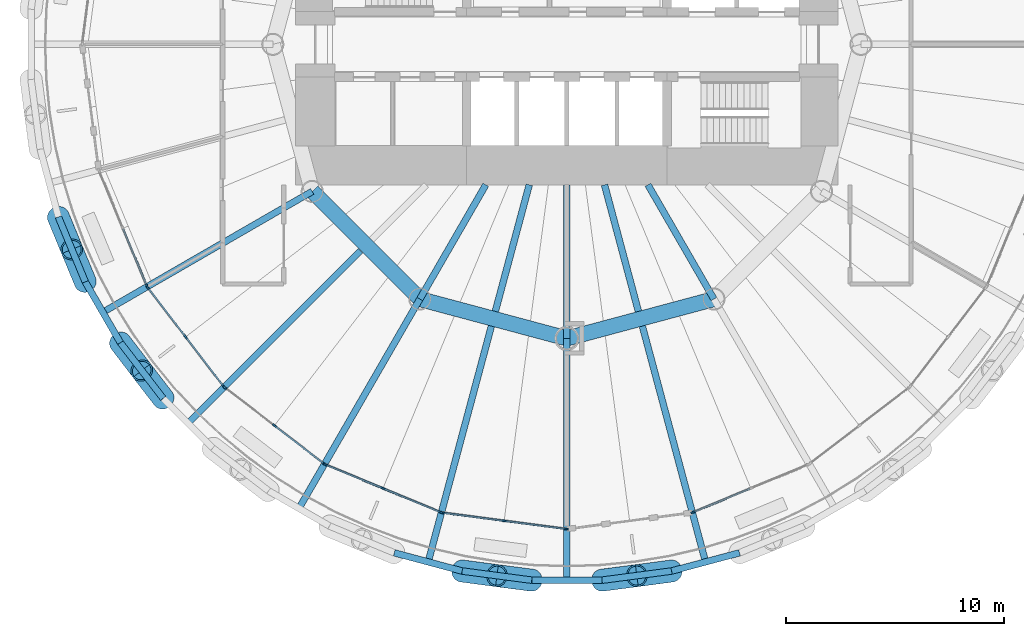
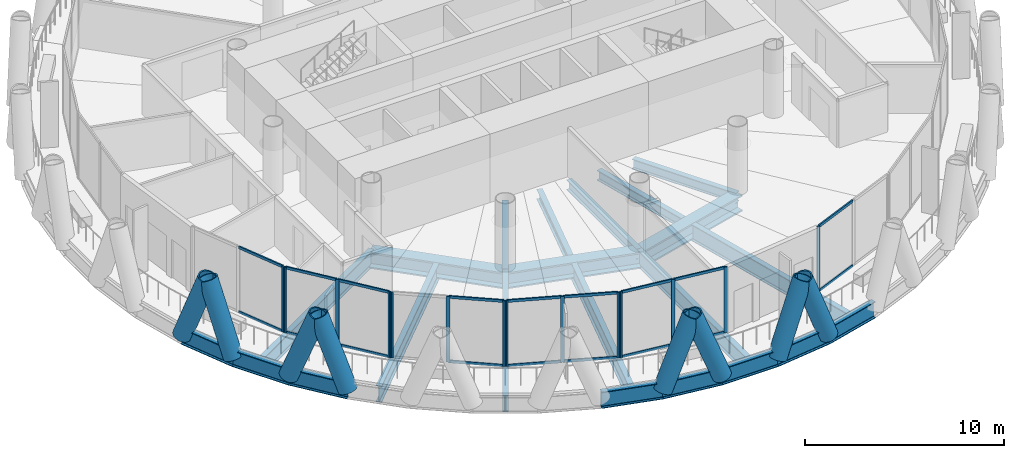
# One storey, part 2 of 15: 40 members, 22 beams, 6 elements without a shape of their own.
"""IFC4 building model written with IfcOpenShell, lengths in metres."""

import ifcopenshell
import ifcopenshell.guid

model = None  # the IFC model being written
_history = None  # IfcOwnerHistory: only IFC2X3 demands one
_inside = {}  # id of a spatial element -> (the spatial element, [elements in it])
_under = {}  # id of a project, library or spatial element -> (it, [spatial elements below it])
_declared = {}  # id of a project -> (the project, [libraries it declares])
_typed = {}  # id of a type object -> (the type object, [elements of that type])
_made_of = {}  # id of a material, layer set ... -> (it, [elements and type objects made of it])


def new_model(schema):
    """Start an empty IFC model of exactly this schema.

    Asked for "IFC4X3", IfcOpenShell would pick the latest addendum, in which some entities
    have other attributes; the version numbers below select the first issue.
    IFC2X3 requires an IfcOwnerHistory on every rooted entity: one is made here for all.
    """
    global model, _history
    if schema == "IFC4X3":
        model = ifcopenshell.file(schema_version=(4, 3, 0, 0))
    else:
        model = ifcopenshell.file(schema=schema)
    _inside.clear()
    _under.clear()
    _declared.clear()
    _typed.clear()
    _made_of.clear()
    _history = None
    if model.schema == "IFC2X3":
        org = make("IfcOrganization", Name="unknown")
        user = make(
            "IfcPersonAndOrganization",
            ThePerson=make("IfcPerson", FamilyName="unknown"),
            TheOrganization=org,
        )
        app = make(
            "IfcApplication",
            ApplicationDeveloper=org,
            Version="unknown",
            ApplicationFullName="unknown",
            ApplicationIdentifier="unknown",
        )
        _history = make(
            "IfcOwnerHistory",
            OwningUser=user,
            OwningApplication=app,
            ChangeAction="ADDED",
            CreationDate=0,
        )
    return model


def make(cls, **values):
    """One entity of the class cls with the attributes given. An attribute that is None is left unset."""
    return model.create_entity(
        cls, **{name: value for name, value in values.items() if value is not None}
    )


def rooted(cls, **values):
    """An entity with a GlobalId (a new one), such as an element, a storey or a relation."""
    return make(cls, GlobalId=ifcopenshell.guid.new(), OwnerHistory=_history, **values)


def si_unit(unit_type, name, prefix=None):
    """IfcSIUnit, for example si_unit("LENGTHUNIT", "METRE", prefix="MILLI")."""
    return make("IfcSIUnit", UnitType=unit_type, Prefix=prefix, Name=name)


def assignment(units):
    """IfcUnitAssignment: the units of a project."""
    return None if units is None else make("IfcUnitAssignment", Units=units)


def point(xyz):
    """IfcCartesianPoint."""
    return None if xyz is None else make("IfcCartesianPoint", Coordinates=xyz)


def direction(xyz):
    """IfcDirection."""
    return None if xyz is None else make("IfcDirection", DirectionRatios=xyz)


def frame(location, z_axis=None, x_axis=None):
    """IfcAxis2Placement3D, a coordinate frame: its origin and axes. An axis left out is left unset."""
    return make(
        "IfcAxis2Placement3D",
        Location=point(location),
        Axis=direction(z_axis),
        RefDirection=direction(x_axis),
    )


def frame_2d(location, x_axis=None):
    """IfcAxis2Placement2D, a coordinate frame in the plane: its origin and x axis."""
    return make(
        "IfcAxis2Placement2D", Location=point(location), RefDirection=direction(x_axis)
    )


def origin():
    """The frame at (0, 0, 0) with its axes left unset."""
    return frame((0.0, 0.0, 0.0))


def origin_2d():
    """The frame at (0, 0) in the plane with its x axis left unset."""
    return frame_2d((0.0, 0.0))


def place(relative_to, where):
    """IfcLocalPlacement: puts the frame where relative to a parent placement (None: the world)."""
    return make(
        "IfcLocalPlacement", PlacementRelTo=relative_to, RelativePlacement=where
    )


def context(
    kind, dimensions, precision=None, world=None, true_north=None, identifier=None
):
    """IfcGeometricRepresentationContext, for example the 3D "Model" context."""
    return make(
        "IfcGeometricRepresentationContext",
        ContextIdentifier=identifier,
        ContextType=kind,
        CoordinateSpaceDimension=dimensions,
        Precision=precision,
        WorldCoordinateSystem=world,
        TrueNorth=true_north,
    )


def subcontext(parent, identifier, kind, view, scale=None):
    """IfcGeometricRepresentationSubContext, for example "Body" below "Model"."""
    return make(
        "IfcGeometricRepresentationSubContext",
        ContextIdentifier=identifier,
        ContextType=kind,
        ParentContext=parent,
        TargetScale=scale,
        TargetView=view,
    )


def project(units=None, contexts=None):
    """IfcProject with its units and contexts."""
    return rooted(
        "IfcProject",
        Name="project",
        RepresentationContexts=contexts,
        UnitsInContext=assignment(units),
    )


def spatial(cls, under=None, at=None, **own):
    """A site, building, storey or space (cls), placed at a placement, below another one or the project."""
    s = rooted(cls, ObjectPlacement=at, **own)
    if under is not None:
        _under.setdefault(under.id(), (under, []))[1].append(s)
    return s


def profile(cls, at=None, kind="AREA", **sizes):
    """A parametric profile (cls). Its sizes go by their IFC names, for example OverallWidth=200.0."""
    return make(cls, ProfileType=kind, Position=at, **sizes)


def rectangle(**sizes):
    """IfcRectangleProfileDef."""
    return profile("IfcRectangleProfileDef", **sizes)


def hollow_circle(**sizes):
    """IfcCircleHollowProfileDef."""
    return profile("IfcCircleHollowProfileDef", **sizes)


def i_section(**sizes):
    """IfcIShapeProfileDef."""
    return profile("IfcIShapeProfileDef", **sizes)


def extrude(swept, where, along, depth):
    """IfcExtrudedAreaSolid: the profile swept, set in the frame where, extruded along a direction by depth."""
    return make(
        "IfcExtrudedAreaSolid",
        SweptArea=swept,
        Position=where,
        ExtrudedDirection=direction(along),
        Depth=depth,
    )


def shape(context_of_items, identifier, shape_type, items):
    """IfcShapeRepresentation: the items that make up one representation, for example the "Body"."""
    return make(
        "IfcShapeRepresentation",
        ContextOfItems=context_of_items,
        RepresentationIdentifier=identifier,
        RepresentationType=shape_type,
        Items=items,
    )


def material(Name=None, Category=None):
    """IfcMaterial."""
    return make("IfcMaterial", Name=Name, Category=Category)


def material_profile(
    of_material, cross_section, Name=None, Category=None, Priority=None
):
    """IfcMaterialProfile: a cross section and its material."""
    return make(
        "IfcMaterialProfile",
        Name=Name,
        Material=of_material,
        Profile=cross_section,
        Priority=Priority,
        Category=Category,
    )


def profile_set(profiles, Name=None, composite=None):
    """IfcMaterialProfileSet."""
    return make(
        "IfcMaterialProfileSet",
        Name=Name,
        MaterialProfiles=profiles,
        CompositeProfile=composite,
    )


def made_of(thing, what):
    """Note that an element or type object is made of a material, layer set ...; save() writes the relation."""
    if what is not None:
        _made_of.setdefault(what.id(), (what, []))[1].append(thing)
    return thing


def type_object(cls, material=None, **own):
    """A type object (cls), such as IfcWallType, which elements share."""
    return made_of(rooted(cls, **own), material)


def element(
    cls,
    number,
    at=None,
    inside=None,
    cuts=None,
    type_object=None,
    material=None,
    context=None,
    identifier="Body",
    shape_type=None,
    held_by="IfcProductDefinitionShape",
    body=None,
    shapes=None,
    **own,
):
    """One element of the class cls, such as IfcWall. Its Tag is "e" and its number.

    at: its placement. inside: the storey or other place that contains it. cuts: it is an
    opening in that element (IfcRelVoidsElement). A single representation is given by context,
    identifier, shape_type and body (its items); several are given by shapes. held_by: the class
    of the entity that holds the representations. save() writes the other relations.
    """
    e = rooted(cls, Tag="e%d" % number, ObjectPlacement=at, **own)
    if body is not None:
        shapes = [shape(context, identifier, shape_type, body)]
    if shapes is not None:
        e.Representation = make(held_by, Representations=shapes)
    if inside is not None:
        _inside.setdefault(inside.id(), (inside, []))[1].append(e)
    if cuts is not None:
        rooted(
            "IfcRelVoidsElement", RelatingBuildingElement=cuts, RelatedOpeningElement=e
        )
    if type_object is not None:
        _typed.setdefault(type_object.id(), (type_object, []))[1].append(e)
    return made_of(e, material)


def aggregate(whole, parts):
    """IfcRelAggregates: a whole, such as a stair, and the parts it consists of."""
    return rooted("IfcRelAggregates", RelatingObject=whole, RelatedObjects=parts)


def save(model, path):
    """Write the relations noted so far, then the file.

    IfcRelAggregates (storeys below a building ...), IfcRelContainedInSpatialStructure (elements
    in a storey), IfcRelDefinesByType, IfcRelAssociatesMaterial and IfcRelDeclares: one each for
    every whole, place, type object, material and project.
    """
    for whole, parts in _under.values():
        aggregate(whole, parts)
    for where, things in _inside.values():
        rooted(
            "IfcRelContainedInSpatialStructure",
            RelatedElements=things,
            RelatingStructure=where,
        )
    for kind, things in _typed.values():
        rooted("IfcRelDefinesByType", RelatedObjects=things, RelatingType=kind)
    for what, things in _made_of.values():
        rooted("IfcRelAssociatesMaterial", RelatedObjects=things, RelatingMaterial=what)
    for by, libraries in _declared.values():
        rooted("IfcRelDeclares", RelatingContext=by, RelatedDefinitions=libraries)
    model.write(path)


model = new_model("IFC4")

# Units and contexts
model_context = context("Model", 3, precision=1e-05, world=origin(), true_north=direction((0.0, 1.0)))
body_context = subcontext(model_context, "Body", "Model", "MODEL_VIEW")
ifc_project = project(units=[si_unit("LENGTHUNIT", "METRE"), si_unit("AREAUNIT", "SQUARE_METRE"), si_unit("VOLUMEUNIT", "CUBIC_METRE"), si_unit("PLANEANGLEUNIT", "RADIAN"), si_unit("MASSUNIT", "GRAM", prefix="KILO")], contexts=[model_context])

# Site, building, storey
site_placement = place(None, origin())
site = spatial("IfcSite", under=ifc_project, at=site_placement, CompositionType="ELEMENT")
building_placement = place(site_placement, origin())
building = spatial("IfcBuilding", under=site, at=building_placement, Name="Qaws Media Tower", CompositionType="ELEMENT")
storey_placement = place(building_placement, frame((0.0, 0.0, 164.60009765625)))
storey = spatial("IfcBuildingStorey", under=building, at=storey_placement, Name="L37", CompositionType="ELEMENT", Elevation=164.60009765625)

# Curtain wall, member
ifc_material_1 = material(Name="Aluminium and clear glass", Category="aluminium")
curtain_wall_type = type_object("IfcCurtainWallType", Name="Unitised curtain wall CW-B", PredefinedType="NOTDEFINED", material=ifc_material_1)
curtain_wall_1_placement = place(storey_placement, origin())
curtain_wall_1 = element("IfcCurtainWall", 1, at=curtain_wall_1_placement, inside=storey, type_object=curtain_wall_type, Name="CWB curtain wall L37-14", PredefinedType="NOTDEFINED")
ifc_material_2 = material(Name="Aluminium mullion", Category="aluminium")
ifc_material_profile_1 = material_profile(ifc_material_2, rectangle(XDim=0.080078125, YDim=0.199951171875, at=origin_2d()), Name="80x200")
ifc_profile_set_1 = profile_set([ifc_material_profile_1], Name="Aluminium mullion")
member_type_1 = type_object("IfcMemberType", Name="Curtain wall mullion 80x200", PredefinedType="MULLION", material=ifc_profile_set_1)
member_1_placement = place(storey_placement, frame((40.715576171875, 38.911865234375, 0.0), z_axis=(0.0, 0.0, 1.0), x_axis=(0.923879489819, 0.382683535434, 0.0)))
member_1 = element("IfcMember", 2, at=member_1_placement, type_object=member_type_1, Name="CWB mullion 3", PredefinedType="MULLION", context=body_context, shape_type="SweptSolid", body=[
    extrude(rectangle(XDim=0.080078125, YDim=0.199951171875, at=origin_2d()), origin(), (0.0, 0.0, 1.0), 4.039794921875),
])

# Curtain wall, members
curtain_wall_2_placement = place(storey_placement, origin())
curtain_wall_2 = element("IfcCurtainWall", 3, at=curtain_wall_2_placement, inside=storey, type_object=curtain_wall_type, Name="CWB curtain wall L37-15", PredefinedType="NOTDEFINED")
member_2_placement = place(storey_placement, frame((40.75537109375, 38.84326171875, 0.0), z_axis=(0.0, 0.0, 1.0), x_axis=(0.793353377191, 0.608761380919, 0.0)))
member_2 = element("IfcMember", 4, at=member_2_placement, type_object=member_type_1, Name="CWB mullion 1", PredefinedType="MULLION", context=body_context, shape_type="SweptSolid", body=[
    extrude(rectangle(XDim=0.080078125, YDim=0.199951171875, at=origin_2d()), origin(), (0.0, 0.0, 1.0), 4.039794921875),
])
member_3_placement = place(storey_placement, frame((42.4990234375, 36.571044921875, 0.0), z_axis=(0.0, 0.0, 1.0), x_axis=(0.793353377191, 0.608761380919, 0.0)))
member_3 = element("IfcMember", 5, at=member_3_placement, type_object=member_type_1, Name="CWB mullion 2", PredefinedType="MULLION", context=body_context, shape_type="SweptSolid", body=[
    extrude(rectangle(XDim=0.080078125, YDim=0.199951171875, at=origin_2d()), origin(), (0.0, 0.0, 1.0), 4.039794921875),
])
member_4_placement = place(storey_placement, frame((44.242431640625, 34.298583984375, 0.0), z_axis=(0.0, 0.0, 1.0), x_axis=(0.793353377191, 0.608761380919, 0.0)))
member_4 = element("IfcMember", 6, at=member_4_placement, type_object=member_type_1, Name="CWB mullion 3", PredefinedType="MULLION", context=body_context, shape_type="SweptSolid", body=[
    extrude(rectangle(XDim=0.080078125, YDim=0.199951171875, at=origin_2d()), origin(), (0.0, 0.0, 1.0), 4.039794921875),
])

curtain_wall_3_placement = place(storey_placement, origin())
curtain_wall_3 = element("IfcCurtainWall", 7, at=curtain_wall_3_placement, inside=storey, type_object=curtain_wall_type, Name="CWB curtain wall L37-16", PredefinedType="NOTDEFINED")
member_5_placement = place(storey_placement, frame((44.298583984375, 34.242431640625, 0.0), z_axis=(0.0, 0.0, 1.0), x_axis=(0.608761380919, 0.793353377191, 0.0)))
member_5 = element("IfcMember", 8, at=member_5_placement, type_object=member_type_1, Name="CWB mullion 1", PredefinedType="MULLION", context=body_context, shape_type="SweptSolid", body=[
    extrude(rectangle(XDim=0.080078125, YDim=0.199951171875, at=origin_2d()), origin(), (0.0, 0.0, 1.0), 4.039794921875),
])
member_6_placement = place(storey_placement, frame((46.571044921875, 32.4990234375, 0.0), z_axis=(0.0, 0.0, 1.0), x_axis=(0.608761380919, 0.793353377191, 0.0)))
member_6 = element("IfcMember", 9, at=member_6_placement, type_object=member_type_1, Name="CWB mullion 2", PredefinedType="MULLION", context=body_context, shape_type="SweptSolid", body=[
    extrude(rectangle(XDim=0.080078125, YDim=0.199951171875, at=origin_2d()), origin(), (0.0, 0.0, 1.0), 4.039794921875),
])
member_7_placement = place(storey_placement, frame((48.84326171875, 30.75537109375, 0.0), z_axis=(0.0, 0.0, 1.0), x_axis=(0.608761380919, 0.793353377191, 0.0)))
member_7 = element("IfcMember", 10, at=member_7_placement, type_object=member_type_1, Name="CWB mullion 3", PredefinedType="MULLION", context=body_context, shape_type="SweptSolid", body=[
    extrude(rectangle(XDim=0.080078125, YDim=0.199951171875, at=origin_2d()), origin(), (0.0, 0.0, 1.0), 4.039794921875),
])

curtain_wall_4_placement = place(storey_placement, origin())
curtain_wall_4 = element("IfcCurtainWall", 11, at=curtain_wall_4_placement, inside=storey, type_object=curtain_wall_type, Name="CWB curtain wall L37-17", PredefinedType="NOTDEFINED")
member_8_placement = place(storey_placement, frame((48.911865234375, 30.715576171875, 0.0), z_axis=(0.0, 0.0, 1.0), x_axis=(0.382683535434, 0.923879489819, 0.0)))
member_8 = element("IfcMember", 12, at=member_8_placement, type_object=member_type_1, Name="CWB mullion 1", PredefinedType="MULLION", context=body_context, shape_type="SweptSolid", body=[
    extrude(rectangle(XDim=0.080078125, YDim=0.199951171875, at=origin_2d()), origin(), (0.0, 0.0, 1.0), 4.039794921875),
])
member_9_placement = place(storey_placement, frame((51.55810546875, 29.61962890625, 0.0), z_axis=(0.0, 0.0, 1.0), x_axis=(0.382683535434, 0.923879489819, 0.0)))
member_9 = element("IfcMember", 13, at=member_9_placement, type_object=member_type_1, Name="CWB mullion 2", PredefinedType="MULLION", context=body_context, shape_type="SweptSolid", body=[
    extrude(rectangle(XDim=0.080078125, YDim=0.199951171875, at=origin_2d()), origin(), (0.0, 0.0, 1.0), 4.039794921875),
])
member_10_placement = place(storey_placement, frame((54.204345703125, 28.5234375, 0.0), z_axis=(0.0, 0.0, 1.0), x_axis=(0.382683535434, 0.923879489819, 0.0)))
member_10 = element("IfcMember", 14, at=member_10_placement, type_object=member_type_1, Name="CWB mullion 3", PredefinedType="MULLION", context=body_context, shape_type="SweptSolid", body=[
    extrude(rectangle(XDim=0.080078125, YDim=0.199951171875, at=origin_2d()), origin(), (0.0, 0.0, 1.0), 4.039794921875),
])

curtain_wall_5_placement = place(storey_placement, origin())
curtain_wall_5 = element("IfcCurtainWall", 15, at=curtain_wall_5_placement, inside=storey, type_object=curtain_wall_type, Name="CWB curtain wall L37-18", PredefinedType="NOTDEFINED")
member_11_placement = place(storey_placement, frame((54.281005859375, 28.5029296875, 0.0), z_axis=(0.0, 0.0, 1.0), x_axis=(0.130526124942, 0.991444870231, 0.0)))
member_11 = element("IfcMember", 16, at=member_11_placement, type_object=member_type_1, Name="CWB mullion 1", PredefinedType="MULLION", context=body_context, shape_type="SweptSolid", body=[
    extrude(rectangle(XDim=0.080078125, YDim=0.199951171875, at=origin_2d()), origin(), (0.0, 0.0, 1.0), 4.039794921875),
])
member_12_placement = place(storey_placement, frame((57.12060546875, 28.129150390625, 0.0), z_axis=(0.0, 0.0, 1.0), x_axis=(0.130526124942, 0.991444870231, 0.0)))
member_12 = element("IfcMember", 17, at=member_12_placement, type_object=member_type_1, Name="CWB mullion 2", PredefinedType="MULLION", context=body_context, shape_type="SweptSolid", body=[
    extrude(rectangle(XDim=0.080078125, YDim=0.199951171875, at=origin_2d()), origin(), (0.0, 0.0, 1.0), 4.039794921875),
])
member_13_placement = place(storey_placement, frame((59.96044921875, 27.755126953125, 0.0), z_axis=(0.0, 0.0, 1.0), x_axis=(0.130526124942, 0.991444870231, 0.0)))
member_13 = element("IfcMember", 18, at=member_13_placement, type_object=member_type_1, Name="CWB mullion 3", PredefinedType="MULLION", context=body_context, shape_type="SweptSolid", body=[
    extrude(rectangle(XDim=0.080078125, YDim=0.199951171875, at=origin_2d()), origin(), (0.0, 0.0, 1.0), 4.039794921875),
])

# Curtain wall, member
curtain_wall_6_placement = place(storey_placement, origin())
curtain_wall_6 = element("IfcCurtainWall", 19, at=curtain_wall_6_placement, inside=storey, type_object=curtain_wall_type, Name="CWB curtain wall L37-20", PredefinedType="NOTDEFINED")
member_14_placement = place(storey_placement, frame((65.795654296875, 28.5234375, 0.0), z_axis=(0.0, 0.0, 1.0), x_axis=(-0.382683535434, 0.923879489819, 0.0)))
member_14 = element("IfcMember", 20, at=member_14_placement, type_object=member_type_1, Name="CWB mullion 1", PredefinedType="MULLION", context=body_context, shape_type="SweptSolid", body=[
    extrude(rectangle(XDim=0.080078125, YDim=0.199951171875, at=origin_2d()), origin(), (0.0, 0.0, 1.0), 4.039794921875),
])

# Member
ifc_material_3 = material(Name="Aluminium transom", Category="aluminium")
ifc_material_profile_2 = material_profile(ifc_material_3, rectangle(XDim=0.080078125, YDim=0.159912109375, at=origin_2d()), Name="80x160")
ifc_profile_set_2 = profile_set([ifc_material_profile_2], Name="Aluminium transom")
member_type_2 = type_object("IfcMemberType", Name="Curtain wall transom 80x160", PredefinedType="USERDEFINED", material=ifc_profile_set_2)
member_15_placement = place(storey_placement, frame((39.634765625, 41.521240234375, 0.039794921875), z_axis=(0.382746742657, -0.923853305988, 0.0), x_axis=(0.923853305988, 0.382746742657, 0.0)))
member_15 = element("IfcMember", 21, at=member_15_placement, type_object=member_type_2, Name="CWB transom 2.1", ObjectType="TRANSOM", PredefinedType="USERDEFINED", context=body_context, shape_type="SweptSolid", body=[
    extrude(rectangle(XDim=0.080078125, YDim=0.159912109375, at=origin_2d()), origin(), (0.0, 0.0, 1.0), 2.7841796875),
])

member_16_placement = place(storey_placement, frame((39.634765625, 41.521240234375, 4.0), z_axis=(0.382746742657, -0.923853305988, 0.0), x_axis=(0.923853305988, 0.382746742657, 0.0)))
member_16 = element("IfcMember", 22, at=member_16_placement, type_object=member_type_2, Name="CWB transom 2.2", ObjectType="TRANSOM", PredefinedType="USERDEFINED", context=body_context, shape_type="SweptSolid", body=[
    extrude(rectangle(XDim=0.080078125, YDim=0.159912109375, at=origin_2d()), origin(), (0.0, 0.0, 1.0), 2.7841796875),
])

aggregate(curtain_wall_1, [member_1, member_15, member_16])

member_17_placement = place(storey_placement, frame((40.779541015625, 38.8115234375, 0.039794921875), z_axis=(0.608816218373, -0.793311295927, 0.0), x_axis=(0.793311295927, 0.608816218373, 0.0)))
member_17 = element("IfcMember", 23, at=member_17_placement, type_object=member_type_2, Name="CWB transom 1.1", ObjectType="TRANSOM", PredefinedType="USERDEFINED", context=body_context, shape_type="SweptSolid", body=[
    extrude(rectangle(XDim=0.080078125, YDim=0.159912109375, at=origin_2d()), origin(), (0.0, 0.0, 1.0), 2.7841796875),
])

member_18_placement = place(storey_placement, frame((40.779541015625, 38.8115234375, 4.0), z_axis=(0.608816218373, -0.793311295927, 0.0), x_axis=(0.793311295927, 0.608816218373, 0.0)))
member_18 = element("IfcMember", 24, at=member_18_placement, type_object=member_type_2, Name="CWB transom 1.2", ObjectType="TRANSOM", PredefinedType="USERDEFINED", context=body_context, shape_type="SweptSolid", body=[
    extrude(rectangle(XDim=0.080078125, YDim=0.159912109375, at=origin_2d()), origin(), (0.0, 0.0, 1.0), 2.7841796875),
])

member_19_placement = place(storey_placement, frame((42.523193359375, 36.539306640625, 0.039794921875), z_axis=(0.608773868942, -0.79334379464, 0.0), x_axis=(0.79334379464, 0.608773868942, 0.0)))
member_19 = element("IfcMember", 25, at=member_19_placement, type_object=member_type_2, Name="CWB transom 2.1", ObjectType="TRANSOM", PredefinedType="USERDEFINED", context=body_context, shape_type="SweptSolid", body=[
    extrude(rectangle(XDim=0.080078125, YDim=0.159912109375, at=origin_2d()), origin(), (0.0, 0.0, 1.0), 2.784423828125),
])

member_20_placement = place(storey_placement, frame((42.523193359375, 36.539306640625, 4.0), z_axis=(0.608773868942, -0.79334379464, 0.0), x_axis=(0.79334379464, 0.608773868942, 0.0)))
member_20 = element("IfcMember", 26, at=member_20_placement, type_object=member_type_2, Name="CWB transom 2.2", ObjectType="TRANSOM", PredefinedType="USERDEFINED", context=body_context, shape_type="SweptSolid", body=[
    extrude(rectangle(XDim=0.080078125, YDim=0.159912109375, at=origin_2d()), origin(), (0.0, 0.0, 1.0), 2.784423828125),
])

aggregate(curtain_wall_2, [member_2, member_3, member_4, member_17, member_18, member_19, member_20])

member_21_placement = place(storey_placement, frame((46.602783203125, 32.474609375, 0.039794921875), z_axis=(0.793311295927, -0.608816218373, 0.0), x_axis=(0.608816218373, 0.793311295927, 0.0)))
member_21 = element("IfcMember", 27, at=member_21_placement, type_object=member_type_2, Name="CWB transom 2.1", ObjectType="TRANSOM", PredefinedType="USERDEFINED", context=body_context, shape_type="SweptSolid", body=[
    extrude(rectangle(XDim=0.080078125, YDim=0.159912109375, at=origin_2d()), origin(), (0.0, 0.0, 1.0), 2.7841796875),
])

member_22_placement = place(storey_placement, frame((46.602783203125, 32.474609375, 4.0), z_axis=(0.793311295927, -0.608816218373, 0.0), x_axis=(0.608816218373, 0.793311295927, 0.0)))
member_22 = element("IfcMember", 28, at=member_22_placement, type_object=member_type_2, Name="CWB transom 2.2", ObjectType="TRANSOM", PredefinedType="USERDEFINED", context=body_context, shape_type="SweptSolid", body=[
    extrude(rectangle(XDim=0.080078125, YDim=0.159912109375, at=origin_2d()), origin(), (0.0, 0.0, 1.0), 2.7841796875),
])

aggregate(curtain_wall_3, [member_5, member_6, member_7, member_21, member_22])

member_23_placement = place(storey_placement, frame((48.948974609375, 30.700439453125, 0.039794921875), z_axis=(0.923853305988, -0.382746742657, 0.0), x_axis=(0.382746742657, 0.923853305988, 0.0)))
member_23 = element("IfcMember", 29, at=member_23_placement, type_object=member_type_2, Name="CWB transom 1.1", ObjectType="TRANSOM", PredefinedType="USERDEFINED", context=body_context, shape_type="SweptSolid", body=[
    extrude(rectangle(XDim=0.080078125, YDim=0.159912109375, at=origin_2d()), origin(), (0.0, 0.0, 1.0), 2.7841796875),
])

member_24_placement = place(storey_placement, frame((48.948974609375, 30.700439453125, 4.0), z_axis=(0.923853305988, -0.382746742657, 0.0), x_axis=(0.382746742657, 0.923853305988, 0.0)))
member_24 = element("IfcMember", 30, at=member_24_placement, type_object=member_type_2, Name="CWB transom 1.2", ObjectType="TRANSOM", PredefinedType="USERDEFINED", context=body_context, shape_type="SweptSolid", body=[
    extrude(rectangle(XDim=0.080078125, YDim=0.159912109375, at=origin_2d()), origin(), (0.0, 0.0, 1.0), 2.7841796875),
])

member_25_placement = place(storey_placement, frame((51.59521484375, 29.604248046875, 0.039794921875), z_axis=(0.923884309714, -0.382671898974, 0.0), x_axis=(0.382671898974, 0.923884309714, 0.0)))
member_25 = element("IfcMember", 31, at=member_25_placement, type_object=member_type_2, Name="CWB transom 2.1", ObjectType="TRANSOM", PredefinedType="USERDEFINED", context=body_context, shape_type="SweptSolid", body=[
    extrude(rectangle(XDim=0.080078125, YDim=0.159912109375, at=origin_2d()), origin(), (0.0, 0.0, 1.0), 2.7841796875),
])

member_26_placement = place(storey_placement, frame((51.59521484375, 29.604248046875, 4.0), z_axis=(0.923884309714, -0.382671898974, 0.0), x_axis=(0.382671898974, 0.923884309714, 0.0)))
member_26 = element("IfcMember", 32, at=member_26_placement, type_object=member_type_2, Name="CWB transom 2.2", ObjectType="TRANSOM", PredefinedType="USERDEFINED", context=body_context, shape_type="SweptSolid", body=[
    extrude(rectangle(XDim=0.080078125, YDim=0.159912109375, at=origin_2d()), origin(), (0.0, 0.0, 1.0), 2.7841796875),
])

aggregate(curtain_wall_4, [member_8, member_9, member_10, member_23, member_24, member_25, member_26])

member_27_placement = place(storey_placement, frame((54.320556640625, 28.497802734375, 0.039794921875), z_axis=(0.991440262797, -0.130561117123, 0.0), x_axis=(0.130561117123, 0.991440262797, 0.0)))
member_27 = element("IfcMember", 33, at=member_27_placement, type_object=member_type_2, Name="CWB transom 1.1", ObjectType="TRANSOM", PredefinedType="USERDEFINED", context=body_context, shape_type="SweptSolid", body=[
    extrude(rectangle(XDim=0.080078125, YDim=0.159912109375, at=origin_2d()), origin(), (0.0, 0.0, 1.0), 2.784423828125),
])

member_28_placement = place(storey_placement, frame((54.320556640625, 28.497802734375, 4.0), z_axis=(0.991440262797, -0.130561117123, 0.0), x_axis=(0.130561117123, 0.991440262797, 0.0)))
member_28 = element("IfcMember", 34, at=member_28_placement, type_object=member_type_2, Name="CWB transom 1.2", ObjectType="TRANSOM", PredefinedType="USERDEFINED", context=body_context, shape_type="SweptSolid", body=[
    extrude(rectangle(XDim=0.080078125, YDim=0.159912109375, at=origin_2d()), origin(), (0.0, 0.0, 1.0), 2.784423828125),
])

member_29_placement = place(storey_placement, frame((57.160400390625, 28.123779296875, 0.039794921875), z_axis=(0.991450116363, -0.130486270401, 0.0), x_axis=(0.130486270401, 0.991450116363, 0.0)))
member_29 = element("IfcMember", 35, at=member_29_placement, type_object=member_type_2, Name="CWB transom 2.1", ObjectType="TRANSOM", PredefinedType="USERDEFINED", context=body_context, shape_type="SweptSolid", body=[
    extrude(rectangle(XDim=0.080078125, YDim=0.159912109375, at=origin_2d()), origin(), (0.0, 0.0, 1.0), 2.783935546875),
])

member_30_placement = place(storey_placement, frame((57.160400390625, 28.123779296875, 4.0), z_axis=(0.991450116363, -0.130486270401, 0.0), x_axis=(0.130486270401, 0.991450116363, 0.0)))
member_30 = element("IfcMember", 36, at=member_30_placement, type_object=member_type_2, Name="CWB transom 2.2", ObjectType="TRANSOM", PredefinedType="USERDEFINED", context=body_context, shape_type="SweptSolid", body=[
    extrude(rectangle(XDim=0.080078125, YDim=0.159912109375, at=origin_2d()), origin(), (0.0, 0.0, 1.0), 2.783935546875),
])

aggregate(curtain_wall_5, [member_11, member_12, member_13, member_27, member_28, member_29, member_30])

member_31_placement = place(storey_placement, frame((65.83251953125, 28.538818359375, 0.039794921875), z_axis=(0.923884309714, 0.382671898974, 0.0), x_axis=(-0.382671898974, 0.923884309714, 0.0)))
member_31 = element("IfcMember", 37, at=member_31_placement, type_object=member_type_2, Name="CWB transom 1.1", ObjectType="TRANSOM", PredefinedType="USERDEFINED", context=body_context, shape_type="SweptSolid", body=[
    extrude(rectangle(XDim=0.080078125, YDim=0.159912109375, at=origin_2d()), origin(), (0.0, 0.0, 1.0), 2.7841796875),
])

member_32_placement = place(storey_placement, frame((65.83251953125, 28.538818359375, 4.0), z_axis=(0.923884309714, 0.382671898974, 0.0), x_axis=(-0.382671898974, 0.923884309714, 0.0)))
member_32 = element("IfcMember", 38, at=member_32_placement, type_object=member_type_2, Name="CWB transom 1.2", ObjectType="TRANSOM", PredefinedType="USERDEFINED", context=body_context, shape_type="SweptSolid", body=[
    extrude(rectangle(XDim=0.080078125, YDim=0.159912109375, at=origin_2d()), origin(), (0.0, 0.0, 1.0), 2.7841796875),
])

aggregate(curtain_wall_6, [member_14, member_31, member_32])

# Members
ifc_material_4 = material(Name="Steel S460", Category="steel")
ifc_material_profile_3 = material_profile(ifc_material_4, hollow_circle(Radius=0.508056640625, WallThickness=0.070068359375, at=origin_2d()), Name="CHS 1016x70")
ifc_profile_set_3 = profile_set([ifc_material_profile_3], Name="Steel S460")
member_type_3 = type_object("IfcMemberType", Name="Diagrid member CHS 1016x70", PredefinedType="USERDEFINED", material=ifc_profile_set_3)
for number, where, z_axis, x_axis, name in (
    (39, (36.658203125, 42.076416015625, -0.6640625), (0.136540752856, -0.3313121209, 0.933589257304), (0.924562008654, 0.381031615688, 0.0), "DG3 diagrid L37 A14"),
    (40, (39.50439453125, 36.30517578125, -0.6640625), (0.21761882159, -0.28469534615, 0.933590171526), (0.794478179438, 0.607292699113, 0.0), "DG3 diagrid L37 A15"),
    (41, (37.89208984375, 39.09765625, -0.6640625), (-0.137734390717, 0.330823028294, 0.933587361506), (-0.923184419081, -0.38435729259, 0.0), "DG3 diagrid L37 B15"),
    (42, (41.467041015625, 33.7470703125, -0.6640625), (-0.218647985607, 0.283933050557, 0.933581855646), (-0.792302996756, -0.610127823764, 0.0), "DG3 diagrid L37 B16"),
    (43, (55.19091796875, 25.82373046875, -0.6640625), (0.355238091749, -0.047430200457, 0.933571783129), (0.132342249656, 0.991204080377, 0.0), "DG3 diagrid L37 A18"),
    (44, (61.6123046875, 25.40283203125, -0.6640625), (0.355354575065, 0.046128800978, 0.933592662621), (-0.128730553852, 0.991679607789, 0.0), "DG3 diagrid L37 A19"),
    (45, (58.3876953125, 25.40283203125, -0.6640625), (-0.355354575065, 0.046128800978, 0.933592662621), (-0.128730553852, -0.991679607789, 0.0), "DG3 diagrid L37 B19"),
    (46, (64.80908203125, 25.82373046875, -0.6640625), (-0.355238091749, -0.047430200457, 0.933571783129), (0.132342249656, -0.991204080377, 0.0), "DG3 diagrid L37 B20"),
):
    element("IfcMember", number, at=place(storey_placement, frame(where, z_axis=z_axis, x_axis=x_axis)), inside=storey, type_object=member_type_3, Name=name, ObjectType="DIAGRID", PredefinedType="USERDEFINED", context=body_context, shape_type="SweptSolid", body=[
        extrude(hollow_circle(Radius=0.508056640625, WallThickness=0.070068359375, at=origin_2d()), origin(), (0.0, 0.0, 1.0), 4.498779296875),
    ])

# Beams
ifc_material_5 = material(Name="Steel S460", Category="steel")
ifc_material_profile_4 = material_profile(ifc_material_5, i_section(OverallWidth=0.302001953125, OverallDepth=1.008056640625, WebThickness=0.02099609375, FlangeThickness=0.0400390625, FilletRadius=0.030029296875, at=origin_2d()), Name="HE 1000 M")
ifc_profile_set_4 = profile_set([ifc_material_profile_4], Name="Steel S460")
beam_type_1 = type_object("IfcBeamType", Name="Edge ring beam HE 1000 M", PredefinedType="BEAM", material=ifc_profile_set_4)
beam_1_placement = place(storey_placement, frame((36.658203125, 42.076416015625, -0.6640625), z_axis=(0.382695087151, -0.923874704855, 0.0), x_axis=(0.923874704855, 0.382695087151, 0.0)))
element("IfcBeam", 47, at=beam_1_placement, inside=storey, type_object=beam_type_1, Name="RB3 edge ring beam L37-27", PredefinedType="BEAM", context=body_context, shape_type="SweptSolid", body=[
    extrude(i_section(OverallWidth=0.302001953125, OverallDepth=1.008056640625, WebThickness=0.02099609375, FlangeThickness=0.0400390625, FilletRadius=0.030029296875, at=origin_2d()), origin(), (0.0, 0.0, 1.0), 3.22412109375),
])
beam_2_placement = place(storey_placement, frame((37.89208984375, 39.09765625, -0.6640625), z_axis=(0.500015196914, -0.866016629664, 0.0), x_axis=(0.866016629664, 0.500015196914, 0.0)))
element("IfcBeam", 48, at=beam_2_placement, inside=storey, type_object=beam_type_1, Name="RB3 edge ring beam L37-28", PredefinedType="BEAM", context=body_context, shape_type="SweptSolid", body=[
    extrude(i_section(OverallWidth=0.302001953125, OverallDepth=1.008056640625, WebThickness=0.02099609375, FlangeThickness=0.0400390625, FilletRadius=0.030029296875, at=origin_2d()), origin(), (0.0, 0.0, 1.0), 3.224609375),
])
for number, where, z_axis, x_axis, name in (
    (49, (39.50439453125, 36.30517578125, -0.6640625), (0.608711282209, -0.793391816766, 0.0), (0.793391816766, 0.608711282209, 0.0), "RB3 edge ring beam L37-29"),
    (50, (52.076416015625, 26.658203125, -0.6640625), (0.965930139181, -0.258802948634, 0.0), (0.258802948634, 0.965930139181, 0.0), "RB3 edge ring beam L37-34"),
    (51, (55.19091796875, 25.82373046875, -0.6640625), (0.991443467997, -0.130536775533, 0.0), (0.130536775533, 0.991443467997, 0.0), "RB3 edge ring beam L37-35"),
):
    element("IfcBeam", number, at=place(storey_placement, frame(where, z_axis=z_axis, x_axis=x_axis)), inside=storey, type_object=beam_type_1, Name=name, PredefinedType="BEAM", context=body_context, shape_type="SweptSolid", body=[
        extrude(i_section(OverallWidth=0.302001953125, OverallDepth=1.008056640625, WebThickness=0.02099609375, FlangeThickness=0.0400390625, FilletRadius=0.030029296875, at=origin_2d()), origin(), (0.0, 0.0, 1.0), 3.224365234375),
    ])
beam_3_placement = place(storey_placement, frame((58.3876953125, 25.40283203125, -0.6640625), z_axis=(1.0, 0.0, 0.0), x_axis=(0.0, 1.0, 0.0)))
element("IfcBeam", 52, at=beam_3_placement, inside=storey, type_object=beam_type_1, Name="RB3 edge ring beam L37-36", PredefinedType="BEAM", context=body_context, shape_type="SweptSolid", body=[
    extrude(i_section(OverallWidth=0.302001953125, OverallDepth=1.008056640625, WebThickness=0.02099609375, FlangeThickness=0.0400390625, FilletRadius=0.030029296875, at=origin_2d()), origin(), (0.0, 0.0, 1.0), 3.224609375),
])
for number, where, z_axis, x_axis, name in (
    (53, (61.6123046875, 25.40283203125, -0.6640625), (0.991443467997, 0.130536775533, 0.0), (-0.130536775533, 0.991443467997, 0.0), "RB3 edge ring beam L37-37"),
    (54, (64.80908203125, 25.82373046875, -0.6640625), (0.965930139181, 0.258802948634, 0.0), (-0.258802948634, 0.965930139181, 0.0), "RB3 edge ring beam L37-38"),
):
    element("IfcBeam", number, at=place(storey_placement, frame(where, z_axis=z_axis, x_axis=x_axis)), inside=storey, type_object=beam_type_1, Name=name, PredefinedType="BEAM", context=body_context, shape_type="SweptSolid", body=[
        extrude(i_section(OverallWidth=0.302001953125, OverallDepth=1.008056640625, WebThickness=0.02099609375, FlangeThickness=0.0400390625, FilletRadius=0.030029296875, at=origin_2d()), origin(), (0.0, 0.0, 1.0), 3.224365234375),
    ])
ifc_material_6 = material(Name="Steel S460", Category="steel")
ifc_material_profile_5 = material_profile(ifc_material_6, i_section(OverallWidth=0.699951171875, OverallDepth=1.0, WebThickness=0.034912109375, FlangeThickness=0.090087890625, at=origin_2d()), Name="PG 1000x700")
ifc_profile_set_5 = profile_set([ifc_material_profile_5], Name="Steel S460")
beam_type_2 = type_object("IfcBeamType", Name="Inner ring girder PG 1000x700", PredefinedType="BEAM", material=ifc_profile_set_5)
beam_4_placement = place(storey_placement, frame((48.30859375, 43.25, -0.66015625), z_axis=(0.707106781187, -0.707106781187, 0.0), x_axis=(0.707106781187, 0.707106781187, 0.0)))
element("IfcBeam", 55, at=beam_4_placement, inside=storey, type_object=beam_type_2, Name="B3 inner ring beam L37 I08-I09", PredefinedType="BEAM", context=body_context, shape_type="SweptSolid", body=[
    extrude(i_section(OverallWidth=0.699951171875, OverallDepth=1.0, WebThickness=0.034912109375, FlangeThickness=0.090087890625, at=origin_2d()), origin(), (0.0, 0.0, 1.0), 6.98828125),
])
for number, where, z_axis, x_axis, name in (
    (56, (53.25, 38.30859375, -0.66015625), (0.965928090778, -0.258810593767, 0.0), (0.258810593767, 0.965928090778, 0.0), "B3 inner ring beam L37 I09-I10"),
    (57, (60.0, 36.5, -0.66015625), (0.965928090778, 0.258810593767, 0.0), (-0.258810593767, 0.965928090778, 0.0), "B3 inner ring beam L37 I10-I11"),
):
    element("IfcBeam", number, at=place(storey_placement, frame(where, z_axis=z_axis, x_axis=x_axis)), inside=storey, type_object=beam_type_2, Name=name, PredefinedType="BEAM", context=body_context, shape_type="SweptSolid", body=[
        extrude(i_section(OverallWidth=0.699951171875, OverallDepth=1.0, WebThickness=0.034912109375, FlangeThickness=0.090087890625, at=origin_2d()), origin(), (0.0, 0.0, 1.0), 6.988037109375),
    ])
ifc_material_7 = material(Name="Steel S355", Category="steel")
ifc_material_profile_6 = material_profile(ifc_material_7, i_section(OverallWidth=0.302001953125, OverallDepth=1.008056640625, WebThickness=0.02099609375, FlangeThickness=0.0400390625, FilletRadius=0.030029296875, at=origin_2d()), Name="HE 1000 M")
ifc_profile_set_6 = profile_set([ifc_material_profile_6], Name="Steel S355")
beam_type_3 = type_object("IfcBeamType", Name="Radial beam HE 1000 M", PredefinedType="BEAM", material=ifc_profile_set_6)
beam_5_placement = place(storey_placement, frame((48.30859375, 43.25, -0.6640625), z_axis=(-0.866023650878, -0.500003036112, 0.0), x_axis=(0.500003036112, -0.866023650878, 0.0)))
element("IfcBeam", 58, at=beam_5_placement, inside=storey, type_object=beam_type_3, Name="B1 radial beam L37 15", PredefinedType="BEAM", context=body_context, shape_type="SweptSolid", body=[
    extrude(i_section(OverallWidth=0.302001953125, OverallDepth=1.008056640625, WebThickness=0.02099609375, FlangeThickness=0.0400390625, FilletRadius=0.030029296875, at=origin_2d()), origin(), (0.0, 0.0, 1.0), 11.09716796875),
])
beam_6_placement = place(storey_placement, frame((50.53173828125, 40.53173828125, -0.6640625), z_axis=(-0.707106781187, -0.707106781187, 0.0), x_axis=(0.707106781187, -0.707106781187, 0.0)))
element("IfcBeam", 59, at=beam_6_placement, inside=storey, type_object=beam_type_3, Name="B1 radial beam L37 16", PredefinedType="BEAM", context=body_context, shape_type="SweptSolid", body=[
    extrude(i_section(OverallWidth=0.302001953125, OverallDepth=1.008056640625, WebThickness=0.02099609375, FlangeThickness=0.0400390625, FilletRadius=0.030029296875, at=origin_2d()), origin(), (0.0, 0.0, 1.0), 11.20703125),
])
beam_7_placement = place(storey_placement, frame((53.25, 38.30859375, -0.6640625), z_axis=(-0.500003036112, -0.866023650878, 0.0), x_axis=(0.866023650878, -0.500003036112, 0.0)))
element("IfcBeam", 60, at=beam_7_placement, inside=storey, type_object=beam_type_3, Name="B1 radial beam L37 17", PredefinedType="BEAM", context=body_context, shape_type="SweptSolid", body=[
    extrude(i_section(OverallWidth=0.302001953125, OverallDepth=1.008056640625, WebThickness=0.02099609375, FlangeThickness=0.0400390625, FilletRadius=0.030029296875, at=origin_2d()), origin(), (0.0, 0.0, 1.0), 11.09716796875),
])
beam_8_placement = place(storey_placement, frame((56.534423828125, 37.066162109375, -0.6640625), z_axis=(-0.258821744446, -0.965925102998, 0.0), x_axis=(0.965925102998, -0.258821744446, 0.0)))
element("IfcBeam", 61, at=beam_8_placement, inside=storey, type_object=beam_type_3, Name="B1 radial beam L37 18", PredefinedType="BEAM", context=body_context, shape_type="SweptSolid", body=[
    extrude(i_section(OverallWidth=0.302001953125, OverallDepth=1.008056640625, WebThickness=0.02099609375, FlangeThickness=0.0400390625, FilletRadius=0.030029296875, at=origin_2d()), origin(), (0.0, 0.0, 1.0), 11.20703125),
])
beam_9_placement = place(storey_placement, frame((60.0, 36.5, -0.6640625), z_axis=(0.0, -1.0, 0.0), x_axis=(1.0, 0.0, 0.0)))
element("IfcBeam", 62, at=beam_9_placement, inside=storey, type_object=beam_type_3, Name="B1 radial beam L37 19", PredefinedType="BEAM", context=body_context, shape_type="SweptSolid", body=[
    extrude(i_section(OverallWidth=0.302001953125, OverallDepth=1.008056640625, WebThickness=0.02099609375, FlangeThickness=0.0400390625, FilletRadius=0.030029296875, at=origin_2d()), origin(), (0.0, 0.0, 1.0), 11.09716796875),
])
beam_10_placement = place(storey_placement, frame((63.465576171875, 37.066162109375, -0.6640625), z_axis=(0.258821744446, -0.965925102998, 0.0), x_axis=(0.965925102998, 0.258821744446, 0.0)))
element("IfcBeam", 63, at=beam_10_placement, inside=storey, type_object=beam_type_3, Name="B1 radial beam L37 20", PredefinedType="BEAM", context=body_context, shape_type="SweptSolid", body=[
    extrude(i_section(OverallWidth=0.302001953125, OverallDepth=1.008056640625, WebThickness=0.02099609375, FlangeThickness=0.0400390625, FilletRadius=0.030029296875, at=origin_2d()), origin(), (0.0, 0.0, 1.0), 11.20703125),
])
ifc_material_8 = material(Name="Steel S355", Category="steel")
ifc_material_profile_7 = material_profile(ifc_material_8, i_section(OverallWidth=0.304931640625, OverallDepth=0.6201171875, WebThickness=0.02099609375, FlangeThickness=0.0400390625, FilletRadius=0.027099609375, at=origin_2d()), Name="HE 600 M")
ifc_profile_set_7 = profile_set([ifc_material_profile_7], Name="Steel S355")
beam_type_4 = type_object("IfcBeamType", Name="Radial beam HE 600 M, core side", PredefinedType="BEAM", material=ifc_profile_set_7)
beam_11_placement = place(storey_placement, frame((56.276123046875, 43.550048828125, -0.47021484375), z_axis=(-0.499995978368, -0.866027725662, 0.0), x_axis=(0.866027725662, -0.499995978368, 0.0)))
element("IfcBeam", 64, at=beam_11_placement, inside=storey, type_object=beam_type_4, Name="B2 radial beam L37 17", PredefinedType="BEAM", context=body_context, shape_type="SweptSolid", body=[
    extrude(i_section(OverallWidth=0.304931640625, OverallDepth=0.6201171875, WebThickness=0.02099609375, FlangeThickness=0.0400390625, FilletRadius=0.027099609375, at=origin_2d()), origin(), (0.0, 0.0, 1.0), 6.05224609375),
])
beam_12_placement = place(storey_placement, frame((58.271728515625, 43.550048828125, -0.47021484375), z_axis=(-0.258819977482, -0.965925576458, 0.0), x_axis=(0.965925576458, -0.258819977482, 0.0)))
element("IfcBeam", 65, at=beam_12_placement, inside=storey, type_object=beam_type_4, Name="B2 radial beam L37 18", PredefinedType="BEAM", context=body_context, shape_type="SweptSolid", body=[
    extrude(i_section(OverallWidth=0.304931640625, OverallDepth=0.6201171875, WebThickness=0.02099609375, FlangeThickness=0.0400390625, FilletRadius=0.027099609375, at=origin_2d()), origin(), (0.0, 0.0, 1.0), 6.012451171875),
])
beam_13_placement = place(storey_placement, frame((60.0, 43.550048828125, -0.47021484375), z_axis=(0.0, -1.0, 0.0), x_axis=(1.0, 0.0, 0.0)))
element("IfcBeam", 66, at=beam_13_placement, inside=storey, type_object=beam_type_4, Name="B2 radial beam L37 19", PredefinedType="BEAM", context=body_context, shape_type="SweptSolid", body=[
    extrude(i_section(OverallWidth=0.304931640625, OverallDepth=0.6201171875, WebThickness=0.02099609375, FlangeThickness=0.0400390625, FilletRadius=0.027099609375, at=origin_2d()), origin(), (0.0, 0.0, 1.0), 7.050048828125),
])
beam_14_placement = place(storey_placement, frame((61.728271484375, 43.550048828125, -0.47021484375), z_axis=(0.258819977482, -0.965925576458, 0.0), x_axis=(0.965925576458, 0.258819977482, 0.0)))
element("IfcBeam", 67, at=beam_14_placement, inside=storey, type_object=beam_type_4, Name="B2 radial beam L37 20", PredefinedType="BEAM", context=body_context, shape_type="SweptSolid", body=[
    extrude(i_section(OverallWidth=0.304931640625, OverallDepth=0.6201171875, WebThickness=0.02099609375, FlangeThickness=0.0400390625, FilletRadius=0.027099609375, at=origin_2d()), origin(), (0.0, 0.0, 1.0), 6.012451171875),
])
beam_15_placement = place(storey_placement, frame((63.723876953125, 43.550048828125, -0.47021484375), z_axis=(0.499995978368, -0.866027725662, 0.0), x_axis=(0.866027725662, 0.499995978368, 0.0)))
element("IfcBeam", 68, at=beam_15_placement, inside=storey, type_object=beam_type_4, Name="B2 radial beam L37 21", PredefinedType="BEAM", context=body_context, shape_type="SweptSolid", body=[
    extrude(i_section(OverallWidth=0.304931640625, OverallDepth=0.6201171875, WebThickness=0.02099609375, FlangeThickness=0.0400390625, FilletRadius=0.027099609375, at=origin_2d()), origin(), (0.0, 0.0, 1.0), 6.05224609375),
])

save(model, "model.ifc")
